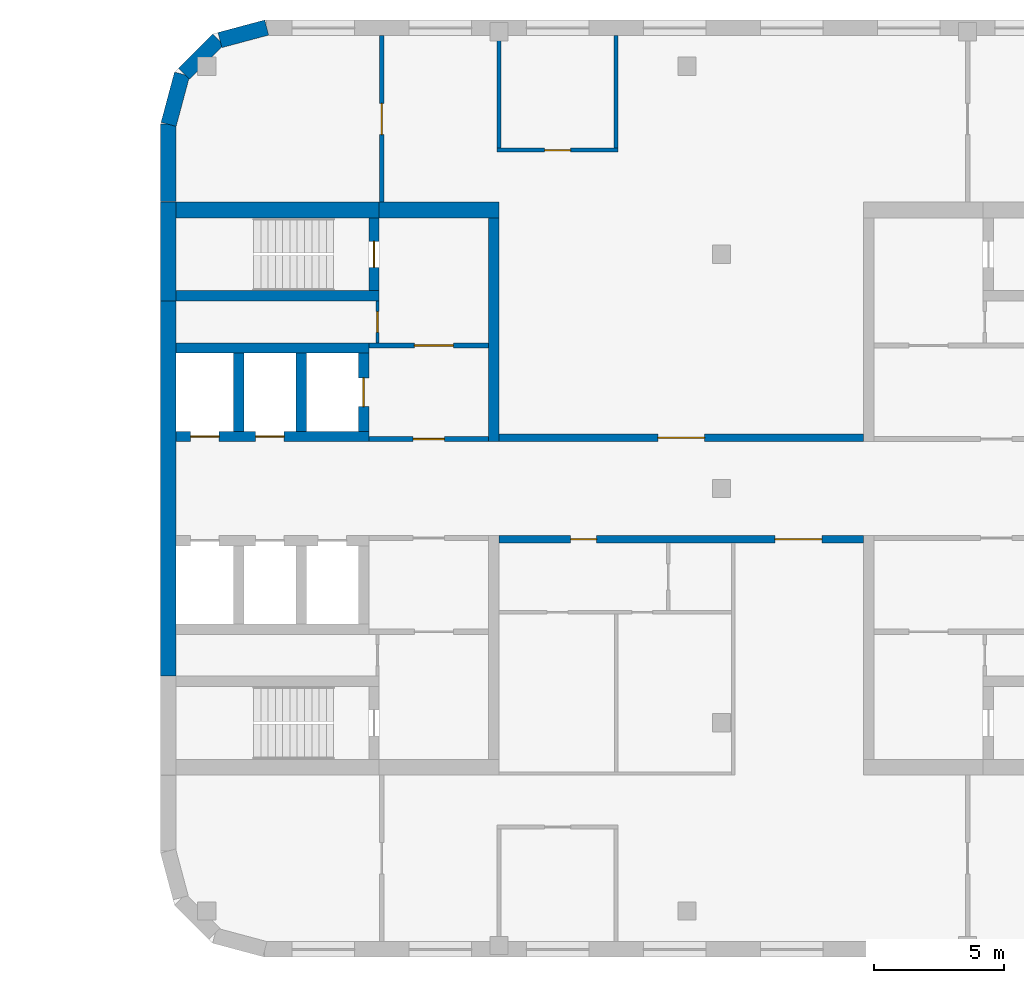
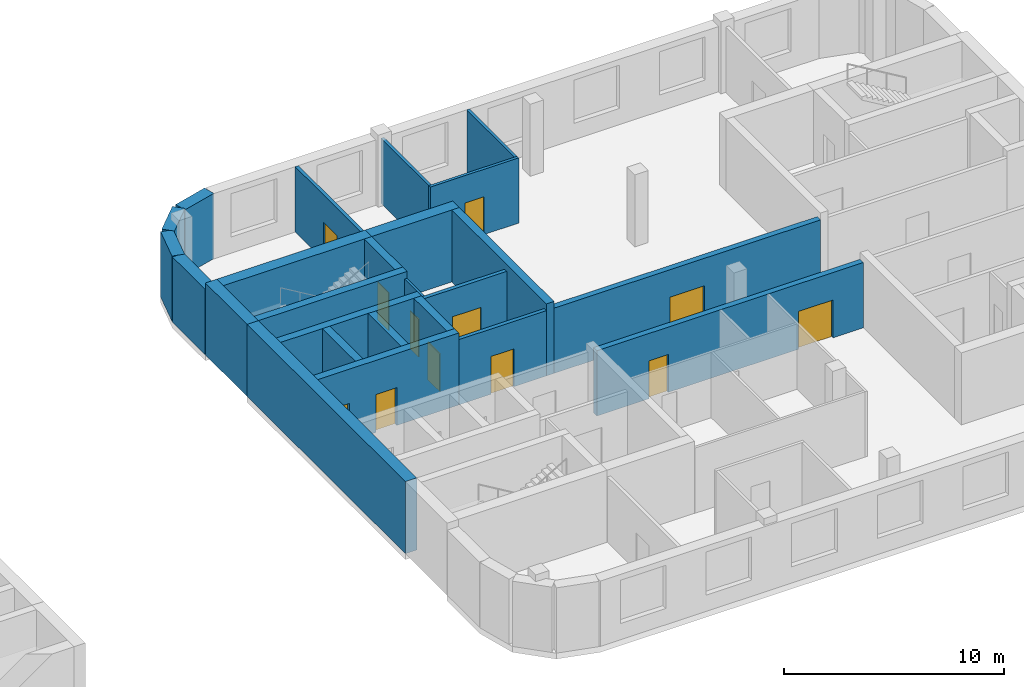
# One storey, part 8 of 16: 25 walls, 12 doors, 12 openings.
"""IFC4 building model written with IfcOpenShell, lengths in metres."""

from ifc_helpers import new_model, si_unit, direction, frame, frame_2d, origin, place, context, subcontext, project, spatial, rectangle, extrude, material, layer, layer_set, type_object, element, fill, save


model = new_model("IFC4")

# Units and contexts
model_context = context("Model", 3, precision=1e-05, world=origin(), true_north=direction((0.0, 1.0)))
body_context = subcontext(model_context, "Body", "Model", "MODEL_VIEW")
ifc_project = project(units=[si_unit("LENGTHUNIT", "METRE"), si_unit("AREAUNIT", "SQUARE_METRE"), si_unit("VOLUMEUNIT", "CUBIC_METRE"), si_unit("PLANEANGLEUNIT", "RADIAN"), si_unit("MASSUNIT", "GRAM", prefix="KILO")], contexts=[model_context])

# Site, building, storey
site_placement = place(None, origin())
site = spatial("IfcSite", under=ifc_project, at=site_placement, CompositionType="ELEMENT")
building_placement = place(site_placement, origin())
building = spatial("IfcBuilding", under=site, at=building_placement, Name="Skarvind Civic Tower", CompositionType="ELEMENT")
storey_placement = place(building_placement, frame((0.0, 0.0, 67.5)))
storey = spatial("IfcBuildingStorey", under=building, at=storey_placement, Name="L15", CompositionType="ELEMENT", Elevation=67.5)

# Wall, opening, door
ifc_material_1 = material(Name="Acoustic gypsum board on steel studs", Category="steel")
ifc_layer_1 = layer(ifc_material_1, 0.175048828125)
ifc_layer_set_1 = layer_set([ifc_layer_1], Name="ACOUSTIC MEETING-ROOM PARTITION 175")
wall_type_1 = type_object("IfcWallType", Name="ACOUSTIC MEETING-ROOM PARTITION 175", PredefinedType="PARTITIONING", material=ifc_layer_set_1)
wall_1_placement = place(storey_placement, frame((135.5, 145.39990234375, 0.0), z_axis=(0.0, 0.0, 1.0), x_axis=(0.0, -1.0, 0.0)))
wall_1 = element("IfcWall", 1, at=wall_1_placement, inside=storey, type_object=wall_type_1, Name="Partition 15.002", PredefinedType="PARTITIONING", context=body_context, shape_type="SweptSolid", body=[
    extrude(rectangle(XDim=6.39990234375, YDim=0.175048828125, at=frame_2d((3.199951171875, 0.0))), origin(), (0.0, 0.0, 1.0), 3.625),
])
opening_1_placement = place(wall_1_placement, frame((2.60009765625, 0.0, 0.0)))
opening_1 = element("IfcOpeningElement", 2, at=opening_1_placement, cuts=wall_1, Name="Opening L15-D103", PredefinedType="OPENING", context=body_context, shape_type="SweptSolid", body=[
    extrude(rectangle(XDim=1.199951171875, YDim=2.10009765625, at=frame_2d((0.60009765625, 1.050048828125))), frame((0.0, 0.097412109375, 0.0), z_axis=(0.0, -1.0, 0.0), x_axis=(1.0, 0.0, 0.0)), (0.0, 0.0, 1.0), 0.195068359375),
])
ifc_material_2 = material(Name="Timber door leaf", Category="wood")
door_type_1 = type_object("IfcDoorType", Name="DOOR 1200X2100 DOUBLE TIMBER", OperationType="NOTDEFINED", PredefinedType="DOOR", material=ifc_material_2)
door_1_placement = place(opening_1_placement, origin())
door_1 = element("IfcDoor", 3, at=door_1_placement, inside=storey, type_object=door_type_1, Name="Door L15-D103", OperationType="DOUBLE_DOOR_SINGLE_SWING", OverallHeight=2.10009765625, OverallWidth=1.199951171875, PredefinedType="DOOR", context=body_context, shape_type="SweptSolid", body=[
    extrude(rectangle(XDim=1.199951171875, YDim=2.10009765625, at=frame_2d((0.60009765625, 1.050048828125))), frame((0.0, 0.02490234375, 0.0), z_axis=(0.0, -1.0, 0.0), x_axis=(1.0, 0.0, 0.0)), (0.0, 0.0, 1.0), 0.050048828125),
])
fill(opening_1, door_1)

ifc_material_3 = material(Name="Fire-rated gypsum board on steel studs", Category="steel")
ifc_layer_2 = layer(ifc_material_3, 0.300048828125)
ifc_layer_set_2 = layer_set([ifc_layer_2], Name="CORRIDOR WALL 300")
wall_type_2 = type_object("IfcWallType", Name="CORRIDOR WALL 300", PredefinedType="PARTITIONING", material=ifc_layer_set_2)
wall_2_placement = place(storey_placement, frame((140.0, 129.949951171875, 0.0), z_axis=(0.0, 0.0, 1.0), x_axis=(1.0, 0.0, 0.0)))
wall_2 = element("IfcWall", 4, at=wall_2_placement, inside=storey, type_object=wall_type_2, Name="Partition 15.007", PredefinedType="PARTITIONING", context=body_context, shape_type="SweptSolid", body=[
    extrude(rectangle(XDim=14.0, YDim=0.300048828125, at=frame_2d((7.0, 0.0))), origin(), (0.0, 0.0, 1.0), 3.625),
])
opening_2_placement = place(wall_2_placement, frame((6.10009765625, 0.0, 0.0)))
opening_2 = element("IfcOpeningElement", 5, at=opening_2_placement, cuts=wall_2, Name="Opening L15-D101", PredefinedType="OPENING", context=body_context, shape_type="SweptSolid", body=[
    extrude(rectangle(XDim=1.800048828125, YDim=2.10009765625, at=frame_2d((0.89990234375, 1.050048828125))), frame((0.0, 0.159912109375, 0.0), z_axis=(0.0, -1.0, 0.0), x_axis=(1.0, 0.0, 0.0)), (0.0, 0.0, 1.0), 0.320068359375),
])
ifc_material_4 = material(Name="Fire-rated timber door leaf", Category="wood")
door_type_2 = type_object("IfcDoorType", Name="FD4 1800x2100", OperationType="NOTDEFINED", PredefinedType="DOOR", material=ifc_material_4)
door_2_placement = place(opening_2_placement, origin())
door_2 = element("IfcDoor", 6, at=door_2_placement, inside=storey, type_object=door_type_2, Name="Door L15-D101", OperationType="DOUBLE_DOOR_SINGLE_SWING", OverallHeight=2.10009765625, OverallWidth=1.800048828125, PredefinedType="DOOR", context=body_context, shape_type="SweptSolid", body=[
    extrude(rectangle(XDim=1.800048828125, YDim=2.10009765625, at=frame_2d((0.89990234375, 1.050048828125))), frame((0.0, 0.02490234375, 0.0), z_axis=(0.0, -1.0, 0.0), x_axis=(1.0, 0.0, 0.0)), (0.0, 0.0, 1.0), 0.050048828125),
])
fill(opening_2, door_2)

# Wall, openings, doors
wall_3_placement = place(storey_placement, frame((154.0, 126.050048828125, 0.0), z_axis=(0.0, 0.0, 1.0), x_axis=(-1.0, 0.0, 0.0)))
wall_3 = element("IfcWall", 7, at=wall_3_placement, inside=storey, type_object=wall_type_2, Name="Partition 15.015", PredefinedType="PARTITIONING", context=body_context, shape_type="SweptSolid", body=[
    extrude(rectangle(XDim=14.0, YDim=0.300048828125, at=frame_2d((7.0, 0.0))), origin(), (0.0, 0.0, 1.0), 3.625),
])
opening_3_placement = place(wall_3_placement, frame((10.25, 0.0, 0.0)))
opening_3 = element("IfcOpeningElement", 8, at=opening_3_placement, cuts=wall_3, Name="Opening L15-D105", PredefinedType="OPENING", context=body_context, shape_type="SweptSolid", body=[
    extrude(rectangle(XDim=1.0, YDim=2.10009765625, at=frame_2d((0.5, 1.050048828125))), frame((0.0, 0.159912109375, 0.0), z_axis=(0.0, -1.0, 0.0), x_axis=(1.0, 0.0, 0.0)), (0.0, 0.0, 1.0), 0.320068359375),
])
opening_4_placement = place(wall_3_placement, frame((1.60009765625, 0.0, 0.0)))
opening_4 = element("IfcOpeningElement", 9, at=opening_4_placement, cuts=wall_3, Name="Opening L15-D109", PredefinedType="OPENING", context=body_context, shape_type="SweptSolid", body=[
    extrude(rectangle(XDim=1.800048828125, YDim=2.10009765625, at=frame_2d((0.89990234375, 1.050048828125))), frame((0.0, 0.159912109375, 0.0), z_axis=(0.0, -1.0, 0.0), x_axis=(1.0, 0.0, 0.0)), (0.0, 0.0, 1.0), 0.320068359375),
])
door_type_3 = type_object("IfcDoorType", Name="FD1 1000x2100", OperationType="NOTDEFINED", PredefinedType="DOOR", material=ifc_material_4)
door_3_placement = place(opening_3_placement, origin())
door_3 = element("IfcDoor", 10, at=door_3_placement, inside=storey, type_object=door_type_3, Name="Door L15-D105", OperationType="SINGLE_SWING_RIGHT", OverallHeight=2.10009765625, OverallWidth=1.0, PredefinedType="DOOR", context=body_context, shape_type="SweptSolid", body=[
    extrude(rectangle(XDim=1.0, YDim=2.10009765625, at=frame_2d((0.5, 1.050048828125))), frame((0.0, 0.02490234375, 0.0), z_axis=(0.0, -1.0, 0.0), x_axis=(1.0, 0.0, 0.0)), (0.0, 0.0, 1.0), 0.050048828125),
])
fill(opening_3, door_3)
door_4_placement = place(opening_4_placement, origin())
door_4 = element("IfcDoor", 11, at=door_4_placement, inside=storey, type_object=door_type_2, Name="Door L15-D109", OperationType="DOUBLE_DOOR_SINGLE_SWING", OverallHeight=2.10009765625, OverallWidth=1.800048828125, PredefinedType="DOOR", context=body_context, shape_type="SweptSolid", body=[
    extrude(rectangle(XDim=1.800048828125, YDim=2.10009765625, at=frame_2d((0.89990234375, 1.050048828125))), frame((0.0, 0.02490234375, 0.0), z_axis=(0.0, -1.0, 0.0), x_axis=(1.0, 0.0, 0.0)), (0.0, 0.0, 1.0), 0.050048828125),
])
fill(opening_4, door_4)

# Wall, opening, door
ifc_material_5 = material(Name="Fire-rated masonry partition", Category="masonry")
ifc_layer_3 = layer(ifc_material_5, 0.199951171875)
ifc_layer_set_3 = layer_set([ifc_layer_3], Name="Core enclosure wall 200")
wall_type_3 = type_object("IfcWallType", Name="Core enclosure wall 200", PredefinedType="PARTITIONING", material=ifc_layer_set_3)
wall_4_placement = place(storey_placement, frame((135.0, 129.89990234375, 0.0), z_axis=(0.0, 0.0, 1.0), x_axis=(1.0, 0.0, 0.0)))
wall_4 = element("IfcWall", 12, at=wall_4_placement, inside=storey, type_object=wall_type_3, Name="Core wall CA", PredefinedType="PARTITIONING", context=body_context, shape_type="SweptSolid", body=[
    extrude(rectangle(XDim=4.60009765625, YDim=0.199951171875, at=frame_2d((2.300048828125, 0.0))), origin(), (0.0, 0.0, 1.0), 3.625),
])
opening_5_placement = place(wall_4_placement, frame((1.699951171875, 0.0, 0.0)))
opening_5 = element("IfcOpeningElement", 13, at=opening_5_placement, cuts=wall_4, Name="Opening D-L15-CA-06", PredefinedType="OPENING", context=body_context, shape_type="SweptSolid", body=[
    extrude(rectangle(XDim=1.199951171875, YDim=2.10009765625, at=frame_2d((0.60009765625, 1.050048828125))), frame((0.0, 0.10986328125, 0.0), z_axis=(0.0, -1.0, 0.0), x_axis=(1.0, 0.0, 0.0)), (0.0, 0.0, 1.0), 0.219970703125),
])
ifc_material_6 = material(Name="Fire-rated steel door", Category="steel")
door_type_4 = type_object("IfcDoorType", Name="Core lobby door 1200", OperationType="NOTDEFINED", PredefinedType="DOOR", material=ifc_material_6)
door_5_placement = place(opening_5_placement, origin())
door_5 = element("IfcDoor", 14, at=door_5_placement, inside=storey, type_object=door_type_4, Name="Fire door", OperationType="DOUBLE_DOOR_SINGLE_SWING", OverallHeight=2.10009765625, OverallWidth=1.199951171875, PredefinedType="DOOR", context=body_context, shape_type="SweptSolid", body=[
    extrude(rectangle(XDim=1.199951171875, YDim=2.10009765625, at=frame_2d((0.60009765625, 1.050048828125))), frame((0.0, 0.02490234375, 0.0), z_axis=(0.0, -1.0, 0.0), x_axis=(1.0, 0.0, 0.0)), (0.0, 0.0, 1.0), 0.050048828125),
])
fill(opening_5, door_5)

wall_5_placement = place(storey_placement, frame((135.0, 133.5, 0.0), z_axis=(0.0, 0.0, 1.0), x_axis=(1.0, 0.0, 0.0)))
wall_5 = element("IfcWall", 15, at=wall_5_placement, inside=storey, type_object=wall_type_3, Name="Core wall CA", PredefinedType="PARTITIONING", context=body_context, shape_type="SweptSolid", body=[
    extrude(rectangle(XDim=4.60009765625, YDim=0.199951171875, at=frame_2d((2.300048828125, 0.0))), origin(), (0.0, 0.0, 1.0), 3.625),
])
opening_6_placement = place(wall_5_placement, frame((1.75, 0.0, 0.0)))
opening_6 = element("IfcOpeningElement", 16, at=opening_6_placement, cuts=wall_5, Name="Opening D-L15-CA-07", PredefinedType="OPENING", context=body_context, shape_type="SweptSolid", body=[
    extrude(rectangle(XDim=1.5, YDim=2.10009765625, at=frame_2d((0.75, 1.050048828125))), frame((0.0, 0.10986328125, 0.0), z_axis=(0.0, -1.0, 0.0), x_axis=(1.0, 0.0, 0.0)), (0.0, 0.0, 1.0), 0.219970703125),
])
door_type_5 = type_object("IfcDoorType", Name="Fire door 1500", OperationType="NOTDEFINED", PredefinedType="DOOR", material=ifc_material_6)
door_6_placement = place(opening_6_placement, origin())
door_6 = element("IfcDoor", 17, at=door_6_placement, inside=storey, type_object=door_type_5, Name="Fire door", OperationType="DOUBLE_DOOR_SINGLE_SWING", OverallHeight=2.10009765625, OverallWidth=1.5, PredefinedType="DOOR", context=body_context, shape_type="SweptSolid", body=[
    extrude(rectangle(XDim=1.5, YDim=2.10009765625, at=frame_2d((0.75, 1.050048828125))), frame((0.0, 0.02490234375, 0.0), z_axis=(0.0, -1.0, 0.0), x_axis=(1.0, 0.0, 0.0)), (0.0, 0.0, 1.0), 0.050048828125),
])
fill(opening_6, door_6)

# Wall
ifc_material_7 = material(Name="Concrete C80", Category="concrete")
ifc_layer_4 = layer(ifc_material_7, 0.39990234375)
ifc_layer_set_4 = layer_set([ifc_layer_4], Name="Core wall 400 C80")
wall_type_4 = type_object("IfcWallType", Name="Core wall 400 C80", PredefinedType="SHEAR", material=ifc_layer_set_4)
wall_6_placement = place(storey_placement, frame((127.60009765625, 135.39990234375, 0.0), z_axis=(0.0, 0.0, 1.0), x_axis=(1.0, 0.0, 0.0)))
element("IfcWall", 18, at=wall_6_placement, inside=storey, type_object=wall_type_4, Name="Core wall CA north stair inner L15", PredefinedType="SHEAR", context=body_context, shape_type="SweptSolid", body=[
    extrude(rectangle(XDim=7.7998046875, YDim=0.39990234375, at=frame_2d((3.89990234375, 0.0))), origin(), (0.0, 0.0, 1.0), 4.0),
])

# Wall, opening, door
wall_7_placement = place(storey_placement, frame((135.199951171875, 135.60009765625, 0.0), z_axis=(0.0, 0.0, 1.0), x_axis=(0.0, 1.0, 0.0)))
wall_7 = element("IfcWall", 19, at=wall_7_placement, inside=storey, type_object=wall_type_4, Name="Core wall CA north stair end L15", PredefinedType="SHEAR", context=body_context, shape_type="SweptSolid", body=[
    extrude(rectangle(XDim=2.7998046875, YDim=0.39990234375, at=frame_2d((1.39990234375, 0.0))), origin(), (0.0, 0.0, 1.0), 4.0),
])
opening_7_placement = place(wall_7_placement, frame((0.89990234375, 0.0, 0.0)))
opening_7 = element("IfcOpeningElement", 20, at=opening_7_placement, cuts=wall_7, Name="Opening D-L15-CA-08", PredefinedType="OPENING", context=body_context, shape_type="SweptSolid", body=[
    extrude(rectangle(XDim=1.0, YDim=2.10009765625, at=frame_2d((0.5, 1.050048828125))), frame((0.0, 0.2099609375, 0.0), z_axis=(0.0, -1.0, 0.0), x_axis=(1.0, 0.0, 0.0)), (0.0, 0.0, 1.0), 0.419921875),
])
door_type_6 = type_object("IfcDoorType", Name="Fire door 1000", OperationType="NOTDEFINED", PredefinedType="DOOR", material=ifc_material_6)
door_7_placement = place(opening_7_placement, origin())
door_7 = element("IfcDoor", 21, at=door_7_placement, inside=storey, type_object=door_type_6, Name="Fire door", OperationType="SINGLE_SWING_LEFT", OverallHeight=2.10009765625, OverallWidth=1.0, PredefinedType="DOOR", context=body_context, shape_type="SweptSolid", body=[
    extrude(rectangle(XDim=1.0, YDim=2.10009765625, at=frame_2d((0.5, 1.050048828125))), frame((0.0, 0.02490234375, 0.0), z_axis=(0.0, -1.0, 0.0), x_axis=(1.0, 0.0, 0.0)), (0.0, 0.0, 1.0), 0.050048828125),
])
fill(opening_7, door_7)

# Wall, openings, doors
wall_8_placement = place(storey_placement, frame((127.60009765625, 130.0, 0.0), z_axis=(0.0, 0.0, 1.0), x_axis=(1.0, 0.0, 0.0)))
wall_8 = element("IfcWall", 22, at=wall_8_placement, inside=storey, type_object=wall_type_4, Name="Core wall CA north lift row front L15", PredefinedType="SHEAR", context=body_context, shape_type="SweptSolid", body=[
    extrude(rectangle(XDim=7.39990234375, YDim=0.39990234375, at=frame_2d((3.699951171875, 0.0))), origin(), (0.0, 0.0, 1.0), 4.0),
])
opening_8_placement = place(wall_8_placement, frame((0.550048828125, 0.0, 0.0)))
opening_8 = element("IfcOpeningElement", 23, at=opening_8_placement, cuts=wall_8, Name="Opening LD17301", PredefinedType="OPENING", context=body_context, shape_type="SweptSolid", body=[
    extrude(rectangle(XDim=1.10009765625, YDim=2.10009765625, at=frame_2d((0.550048828125, 1.050048828125))), frame((0.0, 0.2099609375, 0.0), z_axis=(0.0, -1.0, 0.0), x_axis=(1.0, 0.0, 0.0)), (0.0, 0.0, 1.0), 0.419921875),
])
opening_9_placement = place(wall_8_placement, frame((3.050048828125, 0.0, 0.0)))
opening_9 = element("IfcOpeningElement", 24, at=opening_9_placement, cuts=wall_8, Name="Opening LD17302", PredefinedType="OPENING", context=body_context, shape_type="SweptSolid", body=[
    extrude(rectangle(XDim=1.10009765625, YDim=2.10009765625, at=frame_2d((0.550048828125, 1.050048828125))), frame((0.0, 0.2099609375, 0.0), z_axis=(0.0, -1.0, 0.0), x_axis=(1.0, 0.0, 0.0)), (0.0, 0.0, 1.0), 0.419921875),
])
ifc_material_8 = material(Name="Stainless steel landing door", Category="steel")
door_type_7 = type_object("IfcDoorType", Name="Lift landing door 1100", OperationType="DOUBLE_DOOR_SLIDING", PredefinedType="DOOR", material=ifc_material_8)
door_8_placement = place(opening_8_placement, origin())
door_8 = element("IfcDoor", 25, at=door_8_placement, inside=storey, type_object=door_type_7, Name="Lift landing door", OperationType="DOUBLE_DOOR_SLIDING", OverallHeight=2.10009765625, OverallWidth=1.10009765625, PredefinedType="DOOR", context=body_context, shape_type="SweptSolid", body=[
    extrude(rectangle(XDim=1.10009765625, YDim=2.10009765625, at=frame_2d((0.550048828125, 1.050048828125))), frame((0.0, 0.02490234375, 0.0), z_axis=(0.0, -1.0, 0.0), x_axis=(1.0, 0.0, 0.0)), (0.0, 0.0, 1.0), 0.050048828125),
])
fill(opening_8, door_8)
door_9_placement = place(opening_9_placement, origin())
door_9 = element("IfcDoor", 26, at=door_9_placement, inside=storey, type_object=door_type_7, Name="Lift landing door", OperationType="DOUBLE_DOOR_SLIDING", OverallHeight=2.10009765625, OverallWidth=1.10009765625, PredefinedType="DOOR", context=body_context, shape_type="SweptSolid", body=[
    extrude(rectangle(XDim=1.10009765625, YDim=2.10009765625, at=frame_2d((0.550048828125, 1.050048828125))), frame((0.0, 0.02490234375, 0.0), z_axis=(0.0, -1.0, 0.0), x_axis=(1.0, 0.0, 0.0)), (0.0, 0.0, 1.0), 0.050048828125),
])
fill(opening_9, door_9)

# Walls
wall_9_placement = place(storey_placement, frame((127.60009765625, 133.39990234375, 0.0), z_axis=(0.0, 0.0, 1.0), x_axis=(1.0, 0.0, 0.0)))
element("IfcWall", 27, at=wall_9_placement, inside=storey, type_object=wall_type_4, Name="Core wall CA north lift row back L15", PredefinedType="SHEAR", context=body_context, shape_type="SweptSolid", body=[
    extrude(rectangle(XDim=7.39990234375, YDim=0.39990234375, at=frame_2d((3.699951171875, 0.0))), origin(), (0.0, 0.0, 1.0), 4.0),
])
for number, where, z_axis, x_axis, name in (
    (28, (130.0, 130.199951171875, 0.0), (0.0, 0.0, 1.0), (0.0, 1.0, 0.0), "Core wall CA north lift row division 1 L15"),
    (29, (132.39990234375, 130.199951171875, 0.0), (0.0, 0.0, 1.0), (0.0, 1.0, 0.0), "Core wall CA north lift row division 2 L15"),
):
    element("IfcWall", number, at=place(storey_placement, frame(where, z_axis=z_axis, x_axis=x_axis)), inside=storey, type_object=wall_type_4, Name=name, PredefinedType="SHEAR", context=body_context, shape_type="SweptSolid", body=[
        extrude(rectangle(XDim=3.0, YDim=0.39990234375, at=frame_2d((1.5, 0.0))), origin(), (0.0, 0.0, 1.0), 4.0),
    ])

# Wall, opening, door
wall_10_placement = place(storey_placement, frame((134.800048828125, 130.199951171875, 0.0), z_axis=(0.0, 0.0, 1.0), x_axis=(0.0, 1.0, 0.0)))
wall_10 = element("IfcWall", 30, at=wall_10_placement, inside=storey, type_object=wall_type_4, Name="Core wall CA north lift row division 3 L15", PredefinedType="SHEAR", context=body_context, shape_type="SweptSolid", body=[
    extrude(rectangle(XDim=3.0, YDim=0.39990234375, at=frame_2d((1.5, 0.0))), origin(), (0.0, 0.0, 1.0), 4.0),
])
opening_10_placement = place(wall_10_placement, frame((0.949951171875, 0.0, 0.0)))
opening_10 = element("IfcOpeningElement", 31, at=opening_10_placement, cuts=wall_10, Name="Opening LD17303", PredefinedType="OPENING", context=body_context, shape_type="SweptSolid", body=[
    extrude(rectangle(XDim=1.10009765625, YDim=2.10009765625, at=frame_2d((0.550048828125, 1.050048828125))), frame((0.0, 0.2099609375, 0.0), z_axis=(0.0, -1.0, 0.0), x_axis=(1.0, 0.0, 0.0)), (0.0, 0.0, 1.0), 0.419921875),
])
door_10_placement = place(opening_10_placement, origin())
door_10 = element("IfcDoor", 32, at=door_10_placement, inside=storey, type_object=door_type_7, Name="Lift landing door", OperationType="DOUBLE_DOOR_SLIDING", OverallHeight=2.10009765625, OverallWidth=1.10009765625, PredefinedType="DOOR", context=body_context, shape_type="SweptSolid", body=[
    extrude(rectangle(XDim=1.10009765625, YDim=2.10009765625, at=frame_2d((0.550048828125, 1.050048828125))), frame((0.0, 0.02490234375, 0.0), z_axis=(0.0, -1.0, 0.0), x_axis=(1.0, 0.0, 0.0)), (0.0, 0.0, 1.0), 0.050048828125),
])
fill(opening_10, door_10)

# Walls
wall_11_placement = place(storey_placement, frame((139.800048828125, 129.800048828125, 0.0), z_axis=(0.0, 0.0, 1.0), x_axis=(0.0, 1.0, 0.0)))
element("IfcWall", 33, at=wall_11_placement, inside=storey, type_object=wall_type_4, Name="Core wall CA north inner face L15", PredefinedType="SHEAR", context=body_context, shape_type="SweptSolid", body=[
    extrude(rectangle(XDim=8.599853515625, YDim=0.39990234375, at=frame_2d((4.2998046875, 0.0))), origin(), (0.0, 0.0, 1.0), 4.0),
])
ifc_layer_5 = layer(ifc_material_7, 0.60009765625)
ifc_layer_set_5 = layer_set([ifc_layer_5], Name="Core wall 600 C80")
wall_type_5 = type_object("IfcWallType", Name="Core wall 600 C80", PredefinedType="SHEAR", material=ifc_layer_set_5)
wall_12_placement = place(storey_placement, frame((127.300048828125, 120.800048828125, 0.0), z_axis=(0.0, 0.0, 1.0), x_axis=(0.0, 1.0, 0.0)))
element("IfcWall", 34, at=wall_12_placement, inside=storey, type_object=wall_type_5, Name="Core wall CA tip between the stairs L15", PredefinedType="SHEAR", context=body_context, shape_type="SweptSolid", body=[
    extrude(rectangle(XDim=14.39990234375, YDim=0.60009765625, at=frame_2d((7.199951171875, 0.0))), origin(), (0.0, 0.0, 1.0), 4.0),
])
wall_13_placement = place(storey_placement, frame((127.300048828125, 135.199951171875, 0.0), z_axis=(0.0, 0.0, 1.0), x_axis=(0.0, 1.0, 0.0)))
element("IfcWall", 35, at=wall_13_placement, inside=storey, type_object=wall_type_5, Name="Core wall CA tip at the north stair L15", PredefinedType="SHEAR", context=body_context, shape_type="SweptSolid", body=[
    extrude(rectangle(XDim=3.800048828125, YDim=0.60009765625, at=frame_2d((1.89990234375, 0.0))), origin(), (0.0, 0.0, 1.0), 4.0),
])
wall_14_placement = place(storey_placement, frame((127.60009765625, 138.699951171875, 0.0), z_axis=(0.0, 0.0, 1.0), x_axis=(1.0, 0.0, 0.0)))
element("IfcWall", 36, at=wall_14_placement, inside=storey, type_object=wall_type_5, Name="Core wall CA north side at the stair L15", PredefinedType="SHEAR", context=body_context, shape_type="SweptSolid", body=[
    extrude(rectangle(XDim=7.7998046875, YDim=0.60009765625, at=frame_2d((3.89990234375, 0.0))), origin(), (0.0, 0.0, 1.0), 4.0),
])
wall_15_placement = place(storey_placement, frame((135.39990234375, 138.699951171875, 0.0), z_axis=(0.0, 0.0, 1.0), x_axis=(1.0, 0.0, 0.0)))
element("IfcWall", 37, at=wall_15_placement, inside=storey, type_object=wall_type_5, Name="Core wall CA north side L15", PredefinedType="SHEAR", context=body_context, shape_type="SweptSolid", body=[
    extrude(rectangle(XDim=4.60009765625, YDim=0.60009765625, at=frame_2d((2.300048828125, 0.0))), origin(), (0.0, 0.0, 1.0), 4.0),
])
ifc_material_9 = material(Name="Plasterboard partition on steel studs", Category="steel")
ifc_layer_6 = layer(ifc_material_9, 0.14990234375)
ifc_layer_set_6 = layer_set([ifc_layer_6], Name="PARTITION 150")
wall_type_6 = type_object("IfcWallType", Name="PARTITION 150", PredefinedType="PARTITIONING", material=ifc_layer_set_6)
wall_16_placement = place(storey_placement, frame((140.0, 141.074951171875, 0.0), z_axis=(0.0, 0.0, 1.0), x_axis=(0.0, 1.0, 0.0)))
element("IfcWall", 38, at=wall_16_placement, inside=storey, type_object=wall_type_6, Name="Partition 15.008", PredefinedType="PARTITIONING", context=body_context, shape_type="SweptSolid", body=[
    extrude(rectangle(XDim=4.324951171875, YDim=0.14990234375, at=frame_2d((2.16259765625, 0.0))), origin(), (0.0, 0.0, 1.0), 3.625),
])

# Wall, opening, door
wall_17_placement = place(storey_placement, frame((144.574951171875, 141.0, 0.0), z_axis=(0.0, 0.0, 1.0), x_axis=(-1.0, 0.0, 0.0)))
wall_17 = element("IfcWall", 39, at=wall_17_placement, inside=storey, type_object=wall_type_6, Name="Partition 15.011", PredefinedType="PARTITIONING", context=body_context, shape_type="SweptSolid", body=[
    extrude(rectangle(XDim=4.64990234375, YDim=0.14990234375, at=frame_2d((2.324951171875, 0.0))), origin(), (0.0, 0.0, 1.0), 3.625),
])
opening_11_placement = place(wall_17_placement, frame((1.824951171875, 0.0, 0.0)))
opening_11 = element("IfcOpeningElement", 40, at=opening_11_placement, cuts=wall_17, Name="Opening L15-D102", PredefinedType="OPENING", context=body_context, shape_type="SweptSolid", body=[
    extrude(rectangle(XDim=1.0, YDim=2.10009765625, at=frame_2d((0.5, 1.050048828125))), frame((0.0, 0.0849609375, 0.0), z_axis=(0.0, -1.0, 0.0), x_axis=(1.0, 0.0, 0.0)), (0.0, 0.0, 1.0), 0.169921875),
])
door_type_8 = type_object("IfcDoorType", Name="D1 1000x2100", OperationType="NOTDEFINED", PredefinedType="DOOR", material=ifc_material_2)
door_11_placement = place(opening_11_placement, origin())
door_11 = element("IfcDoor", 41, at=door_11_placement, inside=storey, type_object=door_type_8, Name="Door L15-D102", OperationType="SINGLE_SWING_LEFT", OverallHeight=2.10009765625, OverallWidth=1.0, PredefinedType="DOOR", context=body_context, shape_type="SweptSolid", body=[
    extrude(rectangle(XDim=1.0, YDim=2.10009765625, at=frame_2d((0.5, 1.050048828125))), frame((0.0, 0.02490234375, 0.0), z_axis=(0.0, -1.0, 0.0), x_axis=(1.0, 0.0, 0.0)), (0.0, 0.0, 1.0), 0.050048828125),
])
fill(opening_11, door_11)

# Wall
wall_18_placement = place(storey_placement, frame((144.5, 145.39990234375, 0.0), z_axis=(0.0, 0.0, 1.0), x_axis=(0.0, -1.0, 0.0)))
element("IfcWall", 42, at=wall_18_placement, inside=storey, type_object=wall_type_6, Name="Partition 15.012", PredefinedType="PARTITIONING", context=body_context, shape_type="SweptSolid", body=[
    extrude(rectangle(XDim=4.324951171875, YDim=0.14990234375, at=frame_2d((2.16259765625, 0.0))), origin(), (0.0, 0.0, 1.0), 3.625),
])

# Wall, opening, door
ifc_layer_7 = layer(ifc_material_5, 0.125)
ifc_layer_set_7 = layer_set([ifc_layer_7], Name="Riser wall 125")
wall_type_7 = type_object("IfcWallType", Name="Riser wall 125", PredefinedType="PARTITIONING", material=ifc_layer_set_7)
wall_19_placement = place(storey_placement, frame((135.33740234375, 135.199951171875, 0.0), z_axis=(0.0, 0.0, 1.0), x_axis=(0.0, -1.0, 0.0)))
wall_19 = element("IfcWall", 43, at=wall_19_placement, inside=storey, type_object=wall_type_7, Name="Core wall CA", PredefinedType="PARTITIONING", context=body_context, shape_type="SweptSolid", body=[
    extrude(rectangle(XDim=1.599853515625, YDim=0.125, at=frame_2d((0.7998046875, 0.0))), origin(), (0.0, 0.0, 1.0), 3.625),
])
opening_12_placement = place(wall_19_placement, frame((0.39990234375, 0.0, 0.0)))
opening_12 = element("IfcOpeningElement", 44, at=opening_12_placement, cuts=wall_19, Name="Opening D-L15-CA-09", PredefinedType="OPENING", context=body_context, shape_type="SweptSolid", body=[
    extrude(rectangle(XDim=0.800048828125, YDim=2.10009765625, at=frame_2d((0.39990234375, 1.050048828125))), frame((0.0, 0.072509765625, 0.0), z_axis=(0.0, -1.0, 0.0), x_axis=(1.0, 0.0, 0.0)), (0.0, 0.0, 1.0), 0.14501953125),
])
door_type_9 = type_object("IfcDoorType", Name="Core riser door 800", OperationType="NOTDEFINED", PredefinedType="DOOR", material=ifc_material_6)
door_12_placement = place(opening_12_placement, origin())
door_12 = element("IfcDoor", 45, at=door_12_placement, inside=storey, type_object=door_type_9, Name="Riser door", OperationType="SINGLE_SWING_RIGHT", OverallHeight=2.10009765625, OverallWidth=0.800048828125, PredefinedType="DOOR", context=body_context, shape_type="SweptSolid", body=[
    extrude(rectangle(XDim=0.800048828125, YDim=2.10009765625, at=frame_2d((0.39990234375, 1.050048828125))), frame((0.0, 0.02490234375, 0.0), z_axis=(0.0, -1.0, 0.0), x_axis=(1.0, 0.0, 0.0)), (0.0, 0.0, 1.0), 0.050048828125),
])
fill(opening_12, door_12)

# Walls
ifc_material_10 = material(Name="Limestone masonry cladding on insulated backing", Category="masonry")
ifc_layer_8 = layer(ifc_material_10, 0.60009765625)
ifc_layer_set_8 = layer_set([ifc_layer_8], Name="WX1 STONE FACADE WALL 600")
wall_type_8 = type_object("IfcWallType", Name="WX1 STONE FACADE WALL 600", PredefinedType="SOLIDWALL", material=ifc_layer_set_8)
for number, where, z_axis, x_axis, name in (
    (46, (129.280517578125, 145.228759765625, 0.0), (0.0, 0.0, 1.0), (0.965938094805, 0.258773254036, 0.0), "STONE FACADE WALL"),
    (47, (127.896484375, 143.936279296875, 0.0), (0.0, 0.0, 1.0), (0.707106781187, 0.707106781187, 0.0), "STONE FACADE WALL"),
):
    element("IfcWall", number, at=place(storey_placement, frame(where, z_axis=z_axis, x_axis=x_axis)), inside=storey, type_object=wall_type_8, Name=name, PredefinedType="SOLIDWALL", context=body_context, shape_type="SweptSolid", body=[
        extrude(rectangle(XDim=1.860595703125, YDim=0.60009765625, at=frame_2d((0.93017578125, 0.0))), origin(), (0.0, 0.0, 1.0), 3.625),
    ])
wall_20_placement = place(storey_placement, frame((127.307861328125, 141.989990234375, 0.0), z_axis=(0.0, 0.0, 1.0), x_axis=(0.258839784042, 0.965920269068, 0.0)))
element("IfcWall", 48, at=wall_20_placement, inside=storey, type_object=wall_type_8, Name="STONE FACADE WALL", PredefinedType="SOLIDWALL", context=body_context, shape_type="SweptSolid", body=[
    extrude(rectangle(XDim=2.00048828125, YDim=0.60009765625, at=frame_2d((1.000244140625, 0.0))), origin(), (0.0, 0.0, 1.0), 3.625),
])
wall_21_placement = place(storey_placement, frame((127.300048828125, 139.02001953125, 0.0), z_axis=(0.0, 0.0, 1.0), x_axis=(0.0, 1.0, 0.0)))
element("IfcWall", 49, at=wall_21_placement, inside=storey, type_object=wall_type_8, Name="STONE FACADE WALL", PredefinedType="SOLIDWALL", context=body_context, shape_type="SweptSolid", body=[
    extrude(rectangle(XDim=2.97998046875, YDim=0.60009765625, at=frame_2d((1.489990234375, 0.0))), origin(), (0.0, 0.0, 1.0), 3.625),
])

save(model, "model.ifc")
